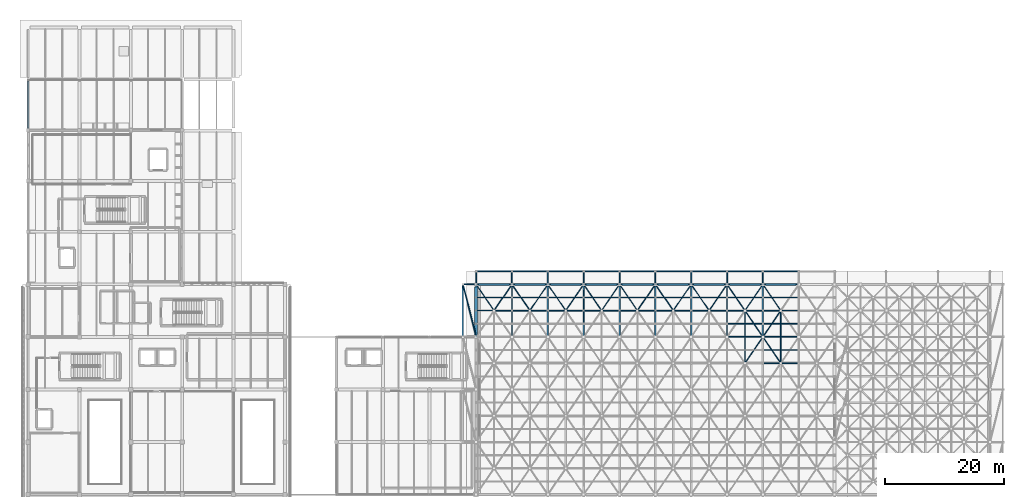
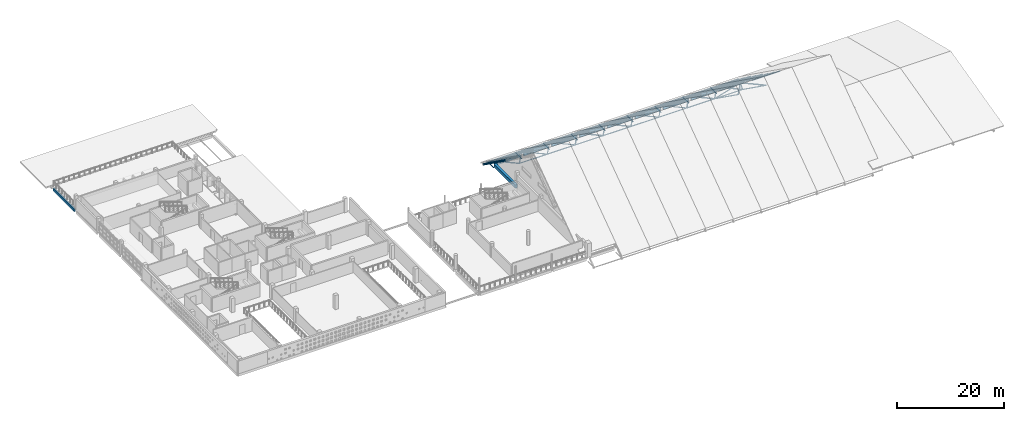
# One storey, part 23 of 55: 103 members, 11 beams.
"""IFC4 building model written with IfcOpenShell, lengths in metres."""

from ifc_helpers import new_model, si_unit, direction, frame, origin, origin_2d, place, context, subcontext, project, spatial, rectangle, hollow_rectangle, hollow_circle, i_section, extrude, material, material_profile, profile_set, type_object, element, save


model = new_model("IFC4")

# Units and contexts
model_context = context("Model", 3, precision=1e-05, world=origin(), true_north=direction((0.0, 1.0)))
body_context = subcontext(model_context, "Body", "Model", "MODEL_VIEW")
ifc_project = project(units=[si_unit("LENGTHUNIT", "METRE"), si_unit("AREAUNIT", "SQUARE_METRE"), si_unit("VOLUMEUNIT", "CUBIC_METRE"), si_unit("PLANEANGLEUNIT", "RADIAN"), si_unit("MASSUNIT", "GRAM", prefix="KILO")], contexts=[model_context])

# Site, building, storey
site_placement = place(None, origin())
site = spatial("IfcSite", under=ifc_project, at=site_placement, CompositionType="ELEMENT")
building_placement = place(site_placement, origin())
building = spatial("IfcBuilding", under=site, at=building_placement, Name="Varnakota Cinema and Media Centre", CompositionType="ELEMENT")
storey_placement = place(building_placement, frame((0.0, 0.0, 15.60009765625)))
storey = spatial("IfcBuildingStorey", under=building, at=storey_placement, Name="L04", CompositionType="ELEMENT", Elevation=15.60009765625)

# Beams
ifc_material_1 = material(Name="Concrete M35", Category="concrete")
ifc_material_profile_1 = material_profile(ifc_material_1, rectangle(XDim=0.5, YDim=0.699951171875, at=origin_2d()), Name="RCB 500x700")
ifc_profile_set_1 = profile_set([ifc_material_profile_1], Name="Concrete M35")
beam_type_1 = type_object("IfcBeamType", Name="BM-RC-500x700", PredefinedType="BEAM", material=ifc_profile_set_1)
beam_1_placement = place(storey_placement, frame((75.0, 26.72509765625, -0.35009765625), z_axis=(0.0, 1.0, 0.0), x_axis=(-1.0, 0.0, 0.0)))
element("IfcBeam", 1, at=beam_1_placement, inside=storey, type_object=beam_type_1, Name="L04 girder K/4-5", PredefinedType="BEAM", context=body_context, shape_type="SweptSolid", body=[
    extrude(rectangle(XDim=0.5, YDim=0.699951171875, at=origin_2d()), origin(), (0.0, 0.0, 1.0), 8.0),
])
ifc_material_2 = material(Name="Concrete M35", Category="concrete")
ifc_material_profile_2 = material_profile(ifc_material_2, rectangle(XDim=0.300048828125, YDim=0.60009765625, at=origin_2d()), Name="RCB 300x600")
ifc_profile_set_2 = profile_set([ifc_material_profile_2], Name="Concrete M35")
beam_type_2 = type_object("IfcBeamType", Name="BM-SP-300x600", PredefinedType="SPANDREL", material=ifc_profile_set_2)
beam_2_placement = place(storey_placement, frame((0.0, 61.35009765625, -0.550048828125), z_axis=(0.0, 1.0, 0.0), x_axis=(-1.0, 0.0, 0.0)))
element("IfcBeam", 2, at=beam_2_placement, inside=storey, type_object=beam_type_2, Name="L04 girder A/8-9", PredefinedType="SPANDREL", context=body_context, shape_type="SweptSolid", body=[
    extrude(rectangle(XDim=0.300048828125, YDim=0.60009765625, at=origin_2d()), origin(), (0.0, 0.0, 1.0), 7.824951171875),
])
ifc_material_3 = material(Name="Concrete M40", Category="concrete")
ifc_material_profile_3 = material_profile(ifc_material_3, rectangle(XDim=0.35009765625, YDim=0.75, at=origin_2d()), Name="RCB 350x750")
ifc_profile_set_3 = profile_set([ifc_material_profile_3], Name="Concrete M40")
beam_type_3 = type_object("IfcBeamType", Name="BM-SP-350x750", PredefinedType="SPANDREL", material=ifc_profile_set_3)
for number, where, z_axis, x_axis, name in (
    (3, (75.425048828125, 35.199951171875, -0.375), (1.0, 0.0, 0.0), (0.0, 1.0, 0.0), "L04 girder K-L/5"),
    (4, (81.425048828125, 35.199951171875, -0.375), (1.0, 0.0, 0.0), (0.0, 1.0, 0.0), "L04 girder L-M/5"),
    (5, (87.425048828125, 35.199951171875, -0.375), (1.0, 0.0, 0.0), (0.0, 1.0, 0.0), "L04 girder M-N/5"),
    (6, (93.425048828125, 35.199951171875, -0.375), (1.0, 0.0, 0.0), (0.0, 1.0, 0.0), "L04 girder N-P/5"),
    (7, (99.425048828125, 35.199951171875, -0.375), (1.0, 0.0, 0.0), (0.0, 1.0, 0.0), "L04 girder P-Q/5"),
    (8, (105.425048828125, 35.199951171875, -0.375), (1.0, 0.0, 0.0), (0.0, 1.0, 0.0), "L04 girder Q-R/5"),
    (9, (111.425048828125, 35.199951171875, -0.375), (1.0, 0.0, 0.0), (0.0, 1.0, 0.0), "L04 girder R-S/5"),
    (10, (117.425048828125, 35.199951171875, -0.375), (1.0, 0.0, 0.0), (0.0, 1.0, 0.0), "L04 girder S-T/5"),
    (11, (123.425048828125, 35.199951171875, -0.375), (1.0, 0.0, 0.0), (0.0, 1.0, 0.0), "L04 girder T-U/5"),
):
    element("IfcBeam", number, at=place(storey_placement, frame(where, z_axis=z_axis, x_axis=x_axis)), inside=storey, type_object=beam_type_3, Name=name, PredefinedType="SPANDREL", context=body_context, shape_type="SweptSolid", body=[
        extrude(rectangle(XDim=0.35009765625, YDim=0.75, at=origin_2d()), origin(), (0.0, 0.0, 1.0), 5.14990234375),
    ])

# Members
ifc_material_4 = material(Name="Structural steel S355 (YSt 355)", Category="steel")
ifc_material_profile_4 = material_profile(ifc_material_4, hollow_circle(Radius=0.05712890625, WallThickness=0.00537109375, at=origin_2d()), Name="CHS 114.3x5.4")
ifc_profile_set_4 = profile_set([ifc_material_profile_4], Name="Structural steel S355 (YSt 355)")
member_type_1 = type_object("IfcMemberType", Name="MEM-ST-CHS114_3x5_4", PredefinedType="BRACE", material=ifc_profile_set_4)
for number, where, z_axis, x_axis, name in (
    (12, (84.0, 30.800048828125, 1.349853515625), (0.552703271274, 0.810613472892, -0.193455140767), (-0.826221523208, 0.563345359959, 0.0), "V1 space-frame diagonal 2.4.4"),
    (13, (90.0, 30.800048828125, 1.349853515625), (-0.552703271274, 0.810613472892, -0.193455140767), (-0.826221523208, -0.563345359959, 0.0), "V1 space-frame diagonal 3.4.3"),
    (14, (108.0, 30.800048828125, 1.349853515625), (0.552703271274, 0.810613472892, -0.193455140767), (-0.826221523208, 0.563345359959, 0.0), "V1 space-frame diagonal 6.4.4"),
    (15, (114.0, 30.800048828125, 1.349853515625), (-0.552703271274, 0.810613472892, -0.193455140767), (-0.826221523208, -0.563345359959, 0.0), "V1 space-frame diagonal 7.4.3"),
):
    element("IfcMember", number, at=place(storey_placement, frame(where, z_axis=z_axis, x_axis=x_axis)), inside=storey, type_object=member_type_1, Name=name, PredefinedType="BRACE", context=body_context, shape_type="SweptSolid", body=[
        extrude(hollow_circle(Radius=0.05712890625, WallThickness=0.00537109375, at=origin_2d()), origin(), (0.0, 0.0, 1.0), 5.427978515625),
    ])
for number, where, z_axis, x_axis, name in (
    (16, (120.0, 30.800048828125, 1.349853515625), (0.40116493033, -0.588394819283, 0.702038628078), (0.826236071711, 0.563324022037, 0.0), "V1 space-frame diagonal 8.4.2"),
    (17, (126.0, 30.800048828125, 1.349853515625), (-0.40116493033, -0.588394819283, 0.702038628078), (0.826236071711, -0.563324022037, 0.0), "V1 space-frame diagonal 9.4.1"),
):
    element("IfcMember", number, at=place(storey_placement, frame(where, z_axis=z_axis, x_axis=x_axis)), inside=storey, type_object=member_type_1, Name=name, PredefinedType="BRACE", context=body_context, shape_type="SweptSolid", body=[
        extrude(hollow_circle(Radius=0.05712890625, WallThickness=0.00537109375, at=origin_2d()), origin(), (0.0, 0.0, 1.0), 7.478271484375),
    ])
ifc_material_5 = material(Name="Structural steel S355 (YSt 355)", Category="steel")
ifc_material_profile_5 = material_profile(ifc_material_5, hollow_circle(Radius=0.06982421875, WallThickness=0.006103515625, at=origin_2d()), Name="CHS 139.7x6.0")
ifc_profile_set_5 = profile_set([ifc_material_profile_5], Name="Structural steel S355 (YSt 355)")
member_type_2 = type_object("IfcMemberType", Name="MEM-ST-CHS139_7x6_0", PredefinedType="CHORD", material=ifc_profile_set_5)
for number, where, z_axis, x_axis, name in (
    (18, (78.0, 30.800048828125, 1.349853515625), (0.552703271274, 0.810613472892, -0.193455140767), (-0.826221523208, 0.563345359959, 0.0), "V1 space-frame diagonal 1.4.4"),
    (19, (84.0, 30.800048828125, 1.349853515625), (-0.552703271274, 0.810613472892, -0.193455140767), (-0.826221523208, -0.563345359959, 0.0), "V1 space-frame diagonal 2.4.3"),
    (20, (102.0, 30.800048828125, 1.349853515625), (0.552703271274, 0.810613472892, -0.193455140767), (-0.826221523208, 0.563345359959, 0.0), "V1 space-frame diagonal 5.4.4"),
    (21, (108.0, 30.800048828125, 1.349853515625), (-0.552703271274, 0.810613472892, -0.193455140767), (-0.826221523208, -0.563345359959, 0.0), "V1 space-frame diagonal 6.4.3"),
):
    element("IfcMember", number, at=place(storey_placement, frame(where, z_axis=z_axis, x_axis=x_axis)), inside=storey, type_object=member_type_2, Name=name, PredefinedType="CHORD", context=body_context, shape_type="SweptSolid", body=[
        extrude(hollow_circle(Radius=0.06982421875, WallThickness=0.006103515625, at=origin_2d()), origin(), (0.0, 0.0, 1.0), 5.427978515625),
    ])
ifc_material_6 = material(Name="Structural steel S355 (YSt 355)", Category="steel")
ifc_material_profile_6 = material_profile(ifc_material_6, hollow_circle(Radius=0.084228515625, WallThickness=0.00634765625, at=origin_2d()), Name="CHS 168.3x6.3")
ifc_profile_set_6 = profile_set([ifc_material_profile_6], Name="Structural steel S355 (YSt 355)")
member_type_3 = type_object("IfcMemberType", Name="MEM-ST-CHS168_3x6_3", PredefinedType="BRACE", material=ifc_profile_set_6)
for number, where, z_axis, x_axis, name in (
    (22, (78.0, 30.800048828125, 1.349853515625), (-0.552703271274, 0.810613472892, -0.193455140767), (-0.826221523208, -0.563345359959, 0.0), "V1 space-frame diagonal 1.4.3"),
    (23, (96.0, 30.800048828125, 1.349853515625), (0.552703271274, 0.810613472892, -0.193455140767), (-0.826221523208, 0.563345359959, 0.0), "V1 space-frame diagonal 4.4.4"),
    (24, (102.0, 30.800048828125, 1.349853515625), (-0.552703271274, 0.810613472892, -0.193455140767), (-0.826221523208, -0.563345359959, 0.0), "V1 space-frame diagonal 5.4.3"),
    (25, (120.0, 30.800048828125, 1.349853515625), (0.552703271274, 0.810613472892, -0.193455140767), (-0.826221523208, 0.563345359959, 0.0), "V1 space-frame diagonal 8.4.4"),
    (26, (126.0, 30.800048828125, 1.349853515625), (-0.552703271274, 0.810613472892, -0.193455140767), (-0.826221523208, -0.563345359959, 0.0), "V1 space-frame diagonal 9.4.3"),
):
    element("IfcMember", number, at=place(storey_placement, frame(where, z_axis=z_axis, x_axis=x_axis)), inside=storey, type_object=member_type_3, Name=name, PredefinedType="BRACE", context=body_context, shape_type="SweptSolid", body=[
        extrude(hollow_circle(Radius=0.084228515625, WallThickness=0.00634765625, at=origin_2d()), origin(), (0.0, 0.0, 1.0), 5.427978515625),
    ])
member_1_placement = place(storey_placement, frame((75.0, 26.39990234375, 6.599853515625), z_axis=(-0.199197685045, 0.796812846238, -0.570446816401), x_axis=(-0.970144083348, -0.242529292136, 0.0)))
element("IfcMember", 27, at=member_1_placement, inside=storey, type_object=member_type_3, Name="V1 W gable space-frame diagonal 4", PredefinedType="BRACE", context=body_context, shape_type="SweptSolid", body=[
    extrude(hollow_circle(Radius=0.084228515625, WallThickness=0.00634765625, at=origin_2d()), origin(), (0.0, 0.0, 1.0), 11.0439453125),
])
ifc_material_7 = material(Name="Structural steel S355 (YSt 355)", Category="steel")
ifc_material_profile_7 = material_profile(ifc_material_7, hollow_circle(Radius=0.096923828125, WallThickness=0.00634765625, at=origin_2d()), Name="CHS 193.7x6.3")
ifc_profile_set_7 = profile_set([ifc_material_profile_7], Name="Structural steel S355 (YSt 355)")
member_type_4 = type_object("IfcMemberType", Name="MEM-ST-CHS193_7x6_3", PredefinedType="CHORD", material=ifc_profile_set_7)
for number, where, z_axis, x_axis, name in (
    (28, (90.0, 30.800048828125, 1.349853515625), (0.552703271274, 0.810613472892, -0.193455140767), (-0.826221523208, 0.563345359959, 0.0), "V1 space-frame diagonal 3.4.4"),
    (29, (96.0, 30.800048828125, 1.349853515625), (-0.552703271274, 0.810613472892, -0.193455140767), (-0.826221523208, -0.563345359959, 0.0), "V1 space-frame diagonal 4.4.3"),
    (30, (114.0, 30.800048828125, 1.349853515625), (0.552703271274, 0.810613472892, -0.193455140767), (-0.826221523208, 0.563345359959, 0.0), "V1 space-frame diagonal 7.4.4"),
    (31, (120.0, 22.0, 7.64990234375), (0.552703271274, 0.810613472892, -0.193455140767), (-0.826221523208, 0.563345359959, 0.0), "V1 space-frame diagonal 8.3.4"),
    (32, (120.0, 30.800048828125, 1.349853515625), (-0.552703271274, 0.810613472892, -0.193455140767), (-0.826221523208, -0.563345359959, 0.0), "V1 space-frame diagonal 8.4.3"),
    (33, (126.0, 22.0, 7.64990234375), (-0.552703271274, 0.810613472892, -0.193455140767), (-0.826221523208, -0.563345359959, 0.0), "V1 space-frame diagonal 9.3.3"),
):
    element("IfcMember", number, at=place(storey_placement, frame(where, z_axis=z_axis, x_axis=x_axis)), inside=storey, type_object=member_type_4, Name=name, PredefinedType="CHORD", context=body_context, shape_type="SweptSolid", body=[
        extrude(hollow_circle(Radius=0.096923828125, WallThickness=0.00634765625, at=origin_2d()), origin(), (0.0, 0.0, 1.0), 5.427978515625),
    ])
for number, where, z_axis, x_axis, name in (
    (34, (75.0, 35.199951171875, -1.25), (0.0, 0.999934678535, -0.01142972721), (-1.0, 0.0, 0.0), "V1 space-frame N eave raking strut 1"),
    (35, (81.0, 35.199951171875, -1.25), (0.0, 0.999934678535, -0.01142972721), (-1.0, 0.0, 0.0), "V1 space-frame N eave raking strut 2"),
    (36, (87.0, 35.199951171875, -1.25), (0.0, 0.999934678535, -0.01142972721), (-1.0, 0.0, 0.0), "V1 space-frame N eave raking strut 3"),
    (37, (93.0, 35.199951171875, -1.25), (0.0, 0.999934678535, -0.01142972721), (-1.0, 0.0, 0.0), "V1 space-frame N eave raking strut 4"),
    (38, (99.0, 35.199951171875, -1.25), (0.0, 0.999934678535, -0.01142972721), (-1.0, 0.0, 0.0), "V1 space-frame N eave raking strut 5"),
    (39, (105.0, 35.199951171875, -1.25), (0.0, 0.999934678535, -0.01142972721), (-1.0, 0.0, 0.0), "V1 space-frame N eave raking strut 6"),
    (40, (111.0, 35.199951171875, -1.25), (0.0, 0.999934678535, -0.01142972721), (-1.0, 0.0, 0.0), "V1 space-frame N eave raking strut 7"),
    (41, (117.0, 35.199951171875, -1.25), (0.0, 0.999934678535, -0.01142972721), (-1.0, 0.0, 0.0), "V1 space-frame N eave raking strut 8"),
    (42, (123.0, 35.199951171875, -1.25), (0.0, 0.999934678535, -0.01142972721), (-1.0, 0.0, 0.0), "V1 space-frame N eave raking strut 9"),
):
    element("IfcMember", number, at=place(storey_placement, frame(where, z_axis=z_axis, x_axis=x_axis)), inside=storey, type_object=member_type_4, Name=name, PredefinedType="CHORD", context=body_context, shape_type="SweptSolid", body=[
        extrude(hollow_circle(Radius=0.096923828125, WallThickness=0.00634765625, at=origin_2d()), origin(), (0.0, 0.0, 1.0), 2.2001953125),
    ])
ifc_material_8 = material(Name="Structural steel S355 (YSt 355)", Category="steel")
ifc_material_profile_8 = material_profile(ifc_material_8, hollow_circle(Radius=0.109619140625, WallThickness=0.008056640625, at=origin_2d()), Name="CHS 219.1x8.0")
ifc_profile_set_8 = profile_set([ifc_material_profile_8], Name="Structural steel S355 (YSt 355)")
member_type_5 = type_object("IfcMemberType", Name="MEM-ST-CHS219_1x8_0", PredefinedType="BRACE", material=ifc_profile_set_8)
for number, where, z_axis, x_axis, name in (
    (43, (78.0, 30.800048828125, 1.349853515625), (1.0, 0.0, 0.0), (0.0, 1.0, 0.0), "V1 bottom longitudinal chord 1.4"),
    (44, (84.0, 30.800048828125, 1.349853515625), (1.0, 0.0, 0.0), (0.0, 1.0, 0.0), "V1 bottom longitudinal chord 2.4"),
    (45, (90.0, 30.800048828125, 1.349853515625), (1.0, 0.0, 0.0), (0.0, 1.0, 0.0), "V1 bottom longitudinal chord 3.4"),
    (46, (96.0, 30.800048828125, 1.349853515625), (1.0, 0.0, 0.0), (0.0, 1.0, 0.0), "V1 bottom longitudinal chord 4.4"),
    (47, (102.0, 30.800048828125, 1.349853515625), (1.0, 0.0, 0.0), (0.0, 1.0, 0.0), "V1 bottom longitudinal chord 5.4"),
    (48, (108.0, 30.800048828125, 1.349853515625), (1.0, 0.0, 0.0), (0.0, 1.0, 0.0), "V1 bottom longitudinal chord 6.4"),
    (49, (114.0, 30.800048828125, 1.349853515625), (1.0, 0.0, 0.0), (0.0, 1.0, 0.0), "V1 bottom longitudinal chord 7.4"),
    (50, (120.0, 30.800048828125, 1.349853515625), (1.0, 0.0, 0.0), (0.0, 1.0, 0.0), "V1 bottom longitudinal chord 8.4"),
    (51, (75.0, 37.39990234375, -1.275146484375), (1.0, 0.0, 0.0), (0.0, 1.0, 0.0), "V1 N eave fascia chord 1"),
    (52, (81.0, 37.39990234375, -1.275146484375), (1.0, 0.0, 0.0), (0.0, 1.0, 0.0), "V1 N eave fascia chord 2"),
    (53, (87.0, 37.39990234375, -1.275146484375), (1.0, 0.0, 0.0), (0.0, 1.0, 0.0), "V1 N eave fascia chord 3"),
    (54, (93.0, 37.39990234375, -1.275146484375), (1.0, 0.0, 0.0), (0.0, 1.0, 0.0), "V1 N eave fascia chord 4"),
    (55, (99.0, 37.39990234375, -1.275146484375), (1.0, 0.0, 0.0), (0.0, 1.0, 0.0), "V1 N eave fascia chord 5"),
    (56, (105.0, 37.39990234375, -1.275146484375), (1.0, 0.0, 0.0), (0.0, 1.0, 0.0), "V1 N eave fascia chord 6"),
    (57, (111.0, 37.39990234375, -1.275146484375), (1.0, 0.0, 0.0), (0.0, 1.0, 0.0), "V1 N eave fascia chord 7"),
    (58, (117.0, 37.39990234375, -1.275146484375), (1.0, 0.0, 0.0), (0.0, 1.0, 0.0), "V1 N eave fascia chord 8"),
    (59, (123.0, 37.39990234375, -1.275146484375), (1.0, 0.0, 0.0), (0.0, 1.0, 0.0), "V1 N eave fascia chord 9"),
):
    element("IfcMember", number, at=place(storey_placement, frame(where, z_axis=z_axis, x_axis=x_axis)), inside=storey, type_object=member_type_5, Name=name, PredefinedType="BRACE", context=body_context, shape_type="SweptSolid", body=[
        extrude(hollow_circle(Radius=0.109619140625, WallThickness=0.008056640625, at=origin_2d()), origin(), (0.0, 0.0, 1.0), 6.0),
    ])
ifc_material_9 = material(Name="Structural steel S355 (YSt 355)", Category="steel")
ifc_material_profile_9 = material_profile(ifc_material_9, hollow_circle(Radius=0.122314453125, WallThickness=0.008056640625, at=origin_2d()), Name="CHS 244.5x8.0")
ifc_profile_set_9 = profile_set([ifc_material_profile_9], Name="Structural steel S355 (YSt 355)")
member_type_6 = type_object("IfcMemberType", Name="MEM-ST-CHS244_5x8_0", PredefinedType="CHORD", material=ifc_profile_set_9)
for number, where, z_axis, x_axis, name in (
    (60, (117.0, 26.39990234375, 6.599853515625), (1.0, 0.0, 0.0), (0.0, 1.0, 0.0), "V1 top longitudinal chord 8.4"),
    (61, (123.0, 26.39990234375, 6.599853515625), (1.0, 0.0, 0.0), (0.0, 1.0, 0.0), "V1 top longitudinal chord 9.4"),
):
    element("IfcMember", number, at=place(storey_placement, frame(where, z_axis=z_axis, x_axis=x_axis)), inside=storey, type_object=member_type_6, Name=name, PredefinedType="CHORD", context=body_context, shape_type="SweptSolid", body=[
        extrude(hollow_circle(Radius=0.122314453125, WallThickness=0.008056640625, at=origin_2d()), origin(), (0.0, 0.0, 1.0), 6.0),
    ])
member_2_placement = place(storey_placement, frame((75.0, 35.199951171875, 0.2998046875), z_axis=(-1.0, 0.0, 0.0), x_axis=(0.0, -1.0, 0.0)))
element("IfcMember", 62, at=member_2_placement, inside=storey, type_object=member_type_6, Name="V1 W gable space-frame outrigger 5", PredefinedType="CHORD", context=body_context, shape_type="SweptSolid", body=[
    extrude(hollow_circle(Radius=0.122314453125, WallThickness=0.008056640625, at=origin_2d()), origin(), (0.0, 0.0, 1.0), 2.199951171875),
])
ifc_material_10 = material(Name="Structural steel S355 (YSt 355)", Category="steel")
ifc_material_profile_10 = material_profile(ifc_material_10, hollow_circle(Radius=0.136474609375, WallThickness=0.010009765625, at=origin_2d()), Name="CHS 273.0x10.0")
ifc_profile_set_10 = profile_set([ifc_material_profile_10], Name="Structural steel S355 (YSt 355)")
member_type_7 = type_object("IfcMemberType", Name="MEM-ST-CHS273_0x10_0", PredefinedType="BRACE", material=ifc_profile_set_10)
for number, where, z_axis, x_axis, name in (
    (63, (75.0, 35.199951171875, 0.2998046875), (1.0, 0.0, 0.0), (0.0, 1.0, 0.0), "V1 top longitudinal chord 1.5"),
    (64, (81.0, 35.199951171875, 0.2998046875), (1.0, 0.0, 0.0), (0.0, 1.0, 0.0), "V1 top longitudinal chord 2.5"),
    (65, (87.0, 35.199951171875, 0.2998046875), (1.0, 0.0, 0.0), (0.0, 1.0, 0.0), "V1 top longitudinal chord 3.5"),
    (66, (93.0, 35.199951171875, 0.2998046875), (1.0, 0.0, 0.0), (0.0, 1.0, 0.0), "V1 top longitudinal chord 4.5"),
    (67, (99.0, 35.199951171875, 0.2998046875), (1.0, 0.0, 0.0), (0.0, 1.0, 0.0), "V1 top longitudinal chord 5.5"),
    (68, (105.0, 35.199951171875, 0.2998046875), (1.0, 0.0, 0.0), (0.0, 1.0, 0.0), "V1 top longitudinal chord 6.5"),
    (69, (111.0, 35.199951171875, 0.2998046875), (1.0, 0.0, 0.0), (0.0, 1.0, 0.0), "V1 top longitudinal chord 7.5"),
    (70, (117.0, 35.199951171875, 0.2998046875), (1.0, 0.0, 0.0), (0.0, 1.0, 0.0), "V1 top longitudinal chord 8.5"),
    (71, (123.0, 35.199951171875, 0.2998046875), (1.0, 0.0, 0.0), (0.0, 1.0, 0.0), "V1 top longitudinal chord 9.5"),
):
    element("IfcMember", number, at=place(storey_placement, frame(where, z_axis=z_axis, x_axis=x_axis)), inside=storey, type_object=member_type_7, Name=name, PredefinedType="BRACE", context=body_context, shape_type="SweptSolid", body=[
        extrude(hollow_circle(Radius=0.136474609375, WallThickness=0.010009765625, at=origin_2d()), origin(), (0.0, 0.0, 1.0), 6.0),
    ])
ifc_material_11 = material(Name="Structural steel Grade 350 (E350)", Category="steel")
ifc_material_profile_11 = material_profile(ifc_material_11, i_section(OverallWidth=0.25, OverallDepth=0.25, WebThickness=0.0087890625, FlangeThickness=0.009765625, FilletRadius=0.010009765625, at=origin_2d()), Name="ISHB 250")
ifc_profile_set_11 = profile_set([ifc_material_profile_11], Name="Structural steel Grade 350 (E350)")
member_type_8 = type_object("IfcMemberType", Name="MEM-ST-ISHB250", PredefinedType="CHORD", material=ifc_profile_set_11)
for number, where, z_axis, x_axis, name in (
    (72, (87.0, 26.39990234375, 6.599853515625), (0.0, 0.813108079498, -0.582112747717), (-1.0, 0.0, 0.0), "V1 top transverse chord 3.4"),
    (73, (99.0, 26.39990234375, 6.599853515625), (0.0, 0.813108079498, -0.582112747717), (-1.0, 0.0, 0.0), "V1 top transverse chord 5.4"),
    (74, (111.0, 26.39990234375, 6.599853515625), (0.0, 0.813108079498, -0.582112747717), (-1.0, 0.0, 0.0), "V1 top transverse chord 7.4"),
    (75, (123.0, 26.39990234375, 6.599853515625), (0.0, 0.813108079498, -0.582112747717), (-1.0, 0.0, 0.0), "V1 top transverse chord 9.4"),
):
    element("IfcMember", number, at=place(storey_placement, frame(where, z_axis=z_axis, x_axis=x_axis)), inside=storey, type_object=member_type_8, Name=name, PredefinedType="CHORD", context=body_context, shape_type="SweptSolid", body=[
        extrude(i_section(OverallWidth=0.25, OverallDepth=0.25, WebThickness=0.0087890625, FlangeThickness=0.009765625, FilletRadius=0.010009765625, at=origin_2d()), origin(), (0.0, 0.0, 1.0), 10.82275390625),
    ])
for number, where, z_axis, x_axis, name in (
    (76, (75.0, 35.199951171875, 0.2998046875), (0.0, 0.81311111287, -0.582108510612), (-1.0, 0.0, 0.0), "V1 space-frame N eave overhang rafter 1"),
    (77, (81.0, 35.199951171875, 0.2998046875), (0.0, 0.81311111287, -0.582108510612), (-1.0, 0.0, 0.0), "V1 space-frame N eave overhang rafter 2"),
    (78, (87.0, 35.199951171875, 0.2998046875), (0.0, 0.81311111287, -0.582108510612), (-1.0, 0.0, 0.0), "V1 space-frame N eave overhang rafter 3"),
    (79, (93.0, 35.199951171875, 0.2998046875), (0.0, 0.81311111287, -0.582108510612), (-1.0, 0.0, 0.0), "V1 space-frame N eave overhang rafter 4"),
    (80, (99.0, 35.199951171875, 0.2998046875), (0.0, 0.81311111287, -0.582108510612), (-1.0, 0.0, 0.0), "V1 space-frame N eave overhang rafter 5"),
    (81, (105.0, 35.199951171875, 0.2998046875), (0.0, 0.81311111287, -0.582108510612), (-1.0, 0.0, 0.0), "V1 space-frame N eave overhang rafter 6"),
    (82, (111.0, 35.199951171875, 0.2998046875), (0.0, 0.81311111287, -0.582108510612), (-1.0, 0.0, 0.0), "V1 space-frame N eave overhang rafter 7"),
    (83, (117.0, 35.199951171875, 0.2998046875), (0.0, 0.81311111287, -0.582108510612), (-1.0, 0.0, 0.0), "V1 space-frame N eave overhang rafter 8"),
    (84, (123.0, 35.199951171875, 0.2998046875), (0.0, 0.81311111287, -0.582108510612), (-1.0, 0.0, 0.0), "V1 space-frame N eave overhang rafter 9"),
):
    element("IfcMember", number, at=place(storey_placement, frame(where, z_axis=z_axis, x_axis=x_axis)), inside=storey, type_object=member_type_8, Name=name, PredefinedType="CHORD", context=body_context, shape_type="SweptSolid", body=[
        extrude(i_section(OverallWidth=0.25, OverallDepth=0.25, WebThickness=0.0087890625, FlangeThickness=0.009765625, FilletRadius=0.010009765625, at=origin_2d()), origin(), (0.0, 0.0, 1.0), 2.70556640625),
    ])
ifc_material_12 = material(Name="Structural steel Grade 350 (E350)", Category="steel")
ifc_material_profile_12 = material_profile(ifc_material_12, i_section(OverallWidth=0.25, OverallDepth=0.300048828125, WebThickness=0.009521484375, FlangeThickness=0.010498046875, FilletRadius=0.010986328125, at=origin_2d()), Name="ISHB 300")
ifc_profile_set_12 = profile_set([ifc_material_profile_12], Name="Structural steel Grade 350 (E350)")
member_type_9 = type_object("IfcMemberType", Name="MEM-ST-ISHB300", PredefinedType="CHORD", material=ifc_profile_set_12)
member_3_placement = place(storey_placement, frame((72.800048828125, 26.39990234375, 6.599853515625), z_axis=(0.0, 0.813108079498, -0.582112747717), x_axis=(-1.0, 0.0, 0.0)))
element("IfcMember", 85, at=member_3_placement, inside=storey, type_object=member_type_9, Name="V1 W gable barge rafter 4", PredefinedType="CHORD", context=body_context, shape_type="SweptSolid", body=[
    extrude(i_section(OverallWidth=0.25, OverallDepth=0.300048828125, WebThickness=0.009521484375, FlangeThickness=0.010498046875, FilletRadius=0.010986328125, at=origin_2d()), origin(), (0.0, 0.0, 1.0), 10.82275390625),
])
ifc_material_13 = material(Name="Structural steel Grade 350 (E350)", Category="steel")
ifc_material_profile_13 = material_profile(ifc_material_13, i_section(OverallWidth=0.25, OverallDepth=0.39990234375, WebThickness=0.010498046875, FlangeThickness=0.0126953125, FilletRadius=0.011962890625, at=origin_2d()), Name="ISHB 400")
ifc_profile_set_13 = profile_set([ifc_material_profile_13], Name="Structural steel Grade 350 (E350)")
member_type_10 = type_object("IfcMemberType", Name="MEM-ST-ISHB400", PredefinedType="CHORD", material=ifc_profile_set_13)
for number, where, z_axis, x_axis, name in (
    (86, (75.0, 26.39990234375, 6.599853515625), (0.0, 0.813108079498, -0.582112747717), (-1.0, 0.0, 0.0), "V1 top transverse chord 1.4"),
    (87, (105.0, 26.39990234375, 6.599853515625), (0.0, 0.813108079498, -0.582112747717), (-1.0, 0.0, 0.0), "V1 top transverse chord 6.4"),
):
    element("IfcMember", number, at=place(storey_placement, frame(where, z_axis=z_axis, x_axis=x_axis)), inside=storey, type_object=member_type_10, Name=name, PredefinedType="CHORD", context=body_context, shape_type="SweptSolid", body=[
        extrude(i_section(OverallWidth=0.25, OverallDepth=0.39990234375, WebThickness=0.010498046875, FlangeThickness=0.0126953125, FilletRadius=0.011962890625, at=origin_2d()), origin(), (0.0, 0.0, 1.0), 10.82275390625),
    ])
ifc_material_14 = material(Name="Structural steel Grade 350 (E350)", Category="steel")
ifc_material_profile_14 = material_profile(ifc_material_14, i_section(OverallWidth=0.14990234375, OverallDepth=0.449951171875, WebThickness=0.009521484375, FlangeThickness=0.017333984375, FilletRadius=0.014892578125, at=origin_2d()), Name="ISMB 450")
ifc_profile_set_14 = profile_set([ifc_material_profile_14], Name="Structural steel Grade 350 (E350)")
member_type_11 = type_object("IfcMemberType", Name="MEM-ST-ISMB450", PredefinedType="RAFTER", material=ifc_profile_set_14)
for number, where, z_axis, x_axis, name in (
    (88, (81.0, 26.39990234375, 6.599853515625), (0.0, 0.813108079498, -0.582112747717), (-1.0, 0.0, 0.0), "V1 top transverse chord 2.4"),
    (89, (93.0, 26.39990234375, 6.599853515625), (0.0, 0.813108079498, -0.582112747717), (-1.0, 0.0, 0.0), "V1 top transverse chord 4.4"),
    (90, (117.0, 26.39990234375, 6.599853515625), (0.0, 0.813108079498, -0.582112747717), (-1.0, 0.0, 0.0), "V1 top transverse chord 8.4"),
):
    element("IfcMember", number, at=place(storey_placement, frame(where, z_axis=z_axis, x_axis=x_axis)), inside=storey, type_object=member_type_11, Name=name, PredefinedType="RAFTER", context=body_context, shape_type="SweptSolid", body=[
        extrude(i_section(OverallWidth=0.14990234375, OverallDepth=0.449951171875, WebThickness=0.009521484375, FlangeThickness=0.017333984375, FilletRadius=0.014892578125, at=origin_2d()), origin(), (0.0, 0.0, 1.0), 10.82275390625),
    ])
ifc_material_15 = material(Name="Structural steel S355 (YSt 355)", Category="steel")
ifc_material_profile_15 = material_profile(ifc_material_15, hollow_rectangle(XDim=0.10009765625, YDim=0.14990234375, WallThickness=0.006103515625, InnerFilletRadius=0.006103515625, OuterFilletRadius=0.011962890625, at=origin_2d()), Name="RHS 150x100x6")
ifc_profile_set_15 = profile_set([ifc_material_profile_15], Name="Structural steel S355 (YSt 355)")
member_type_12 = type_object("IfcMemberType", Name="MEM-ST-RHS150x100x6", PredefinedType="PURLIN", material=ifc_profile_set_15)
for number, where, z_axis, x_axis, name in (
    (91, (123.0, 22.0, 9.829833984375), (1.0, 0.0, 0.0), (0.0, 1.0, 0.0), "V1 roof purlin 8.9"),
    (92, (117.0, 28.60009765625, 5.10498046875), (1.0, 0.0, 0.0), (0.0, 1.0, 0.0), "V1 roof purlin 10.8"),
    (93, (123.0, 28.60009765625, 5.10498046875), (1.0, 0.0, 0.0), (0.0, 1.0, 0.0), "V1 roof purlin 10.9"),
    (94, (75.0, 33.0, 1.954833984375), (1.0, 0.0, 0.0), (0.0, 1.0, 0.0), "V1 roof purlin 12.1"),
    (95, (81.0, 33.0, 1.954833984375), (1.0, 0.0, 0.0), (0.0, 1.0, 0.0), "V1 roof purlin 12.2"),
    (96, (87.0, 33.0, 1.954833984375), (1.0, 0.0, 0.0), (0.0, 1.0, 0.0), "V1 roof purlin 12.3"),
    (97, (93.0, 33.0, 1.954833984375), (1.0, 0.0, 0.0), (0.0, 1.0, 0.0), "V1 roof purlin 12.4"),
    (98, (99.0, 33.0, 1.954833984375), (1.0, 0.0, 0.0), (0.0, 1.0, 0.0), "V1 roof purlin 12.5"),
    (99, (105.0, 33.0, 1.954833984375), (1.0, 0.0, 0.0), (0.0, 1.0, 0.0), "V1 roof purlin 12.6"),
    (100, (111.0, 33.0, 1.954833984375), (1.0, 0.0, 0.0), (0.0, 1.0, 0.0), "V1 roof purlin 12.7"),
    (101, (117.0, 33.0, 1.954833984375), (1.0, 0.0, 0.0), (0.0, 1.0, 0.0), "V1 roof purlin 12.8"),
    (102, (123.0, 33.0, 1.954833984375), (1.0, 0.0, 0.0), (0.0, 1.0, 0.0), "V1 roof purlin 12.9"),
):
    element("IfcMember", number, at=place(storey_placement, frame(where, z_axis=z_axis, x_axis=x_axis)), inside=storey, type_object=member_type_12, Name=name, PredefinedType="PURLIN", context=body_context, shape_type="SweptSolid", body=[
        extrude(hollow_rectangle(XDim=0.10009765625, YDim=0.14990234375, WallThickness=0.006103515625, InnerFilletRadius=0.006103515625, OuterFilletRadius=0.011962890625, at=origin_2d()), origin(), (0.0, 0.0, 1.0), 6.0),
    ])
ifc_material_16 = material(Name="Structural steel S355 (YSt 355)", Category="steel")
ifc_material_profile_16 = material_profile(ifc_material_16, hollow_rectangle(XDim=0.10009765625, YDim=0.199951171875, WallThickness=0.006103515625, InnerFilletRadius=0.006103515625, OuterFilletRadius=0.011962890625, at=origin_2d()), Name="RHS 200x100x6")
ifc_profile_set_16 = profile_set([ifc_material_profile_16], Name="Structural steel S355 (YSt 355)")
member_type_13 = type_object("IfcMemberType", Name="MEM-ST-RHS200x100x6", PredefinedType="PURLIN", material=ifc_profile_set_16)
for number, where, z_axis, x_axis, name in (
    (103, (123.0, 24.199951171875, 8.2548828125), (1.0, 0.0, 0.0), (0.0, 1.0, 0.0), "V1 roof purlin 9.9"),
    (104, (75.0, 30.800048828125, 3.52978515625), (1.0, 0.0, 0.0), (0.0, 1.0, 0.0), "V1 roof purlin 11.1"),
    (105, (81.0, 30.800048828125, 3.52978515625), (1.0, 0.0, 0.0), (0.0, 1.0, 0.0), "V1 roof purlin 11.2"),
    (106, (87.0, 30.800048828125, 3.52978515625), (1.0, 0.0, 0.0), (0.0, 1.0, 0.0), "V1 roof purlin 11.3"),
    (107, (93.0, 30.800048828125, 3.52978515625), (1.0, 0.0, 0.0), (0.0, 1.0, 0.0), "V1 roof purlin 11.4"),
    (108, (99.0, 30.800048828125, 3.52978515625), (1.0, 0.0, 0.0), (0.0, 1.0, 0.0), "V1 roof purlin 11.5"),
    (109, (105.0, 30.800048828125, 3.52978515625), (1.0, 0.0, 0.0), (0.0, 1.0, 0.0), "V1 roof purlin 11.6"),
    (110, (111.0, 30.800048828125, 3.52978515625), (1.0, 0.0, 0.0), (0.0, 1.0, 0.0), "V1 roof purlin 11.7"),
    (111, (117.0, 30.800048828125, 3.52978515625), (1.0, 0.0, 0.0), (0.0, 1.0, 0.0), "V1 roof purlin 11.8"),
    (112, (123.0, 30.800048828125, 3.52978515625), (1.0, 0.0, 0.0), (0.0, 1.0, 0.0), "V1 roof purlin 11.9"),
):
    element("IfcMember", number, at=place(storey_placement, frame(where, z_axis=z_axis, x_axis=x_axis)), inside=storey, type_object=member_type_13, Name=name, PredefinedType="PURLIN", context=body_context, shape_type="SweptSolid", body=[
        extrude(hollow_rectangle(XDim=0.10009765625, YDim=0.199951171875, WallThickness=0.006103515625, InnerFilletRadius=0.006103515625, OuterFilletRadius=0.011962890625, at=origin_2d()), origin(), (0.0, 0.0, 1.0), 6.0),
    ])
ifc_material_17 = material(Name="Structural steel S355 (YSt 355)", Category="steel")
ifc_material_profile_17 = material_profile(ifc_material_17, hollow_rectangle(XDim=0.199951171875, YDim=0.199951171875, WallThickness=0.010009765625, InnerFilletRadius=0.010009765625, OuterFilletRadius=0.02001953125, at=origin_2d()), Name="SHS 200x200x10")
ifc_profile_set_17 = profile_set([ifc_material_profile_17], Name="Structural steel S355 (YSt 355)")
member_type_14 = type_object("IfcMemberType", Name="MEM-ST-SHS200x200x10", PredefinedType="STRUT", material=ifc_profile_set_17)
for number, where, z_axis, x_axis, name in (
    (113, (120.0, 22.0, 7.64990234375), (0.0, 0.813108079498, -0.582112747717), (-1.0, 0.0, 0.0), "V1 bottom transverse chord 8.3"),
    (114, (126.0, 22.0, 7.64990234375), (0.0, 0.813108079498, -0.582112747717), (-1.0, 0.0, 0.0), "V1 bottom transverse chord 9.3"),
):
    element("IfcMember", number, at=place(storey_placement, frame(where, z_axis=z_axis, x_axis=x_axis)), inside=storey, type_object=member_type_14, Name=name, PredefinedType="STRUT", context=body_context, shape_type="SweptSolid", body=[
        extrude(hollow_rectangle(XDim=0.199951171875, YDim=0.199951171875, WallThickness=0.010009765625, InnerFilletRadius=0.010009765625, OuterFilletRadius=0.02001953125, at=origin_2d()), origin(), (0.0, 0.0, 1.0), 10.82275390625),
    ])

save(model, "model.ifc")
